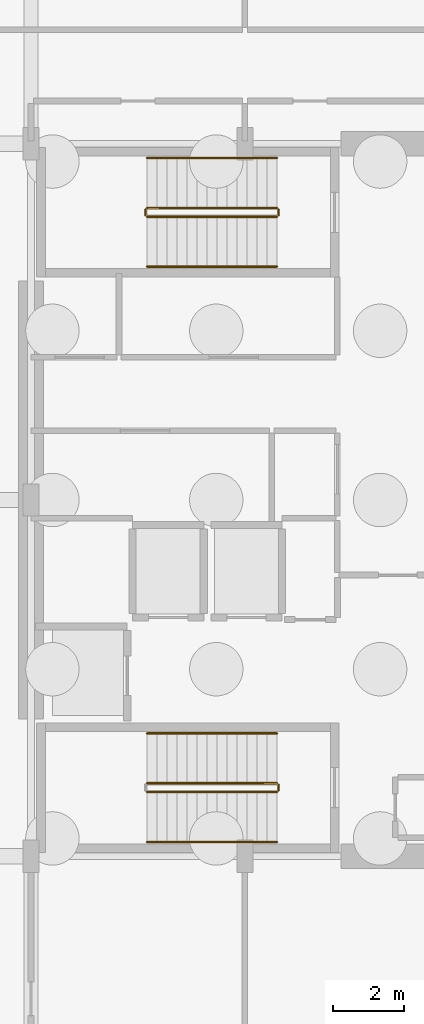
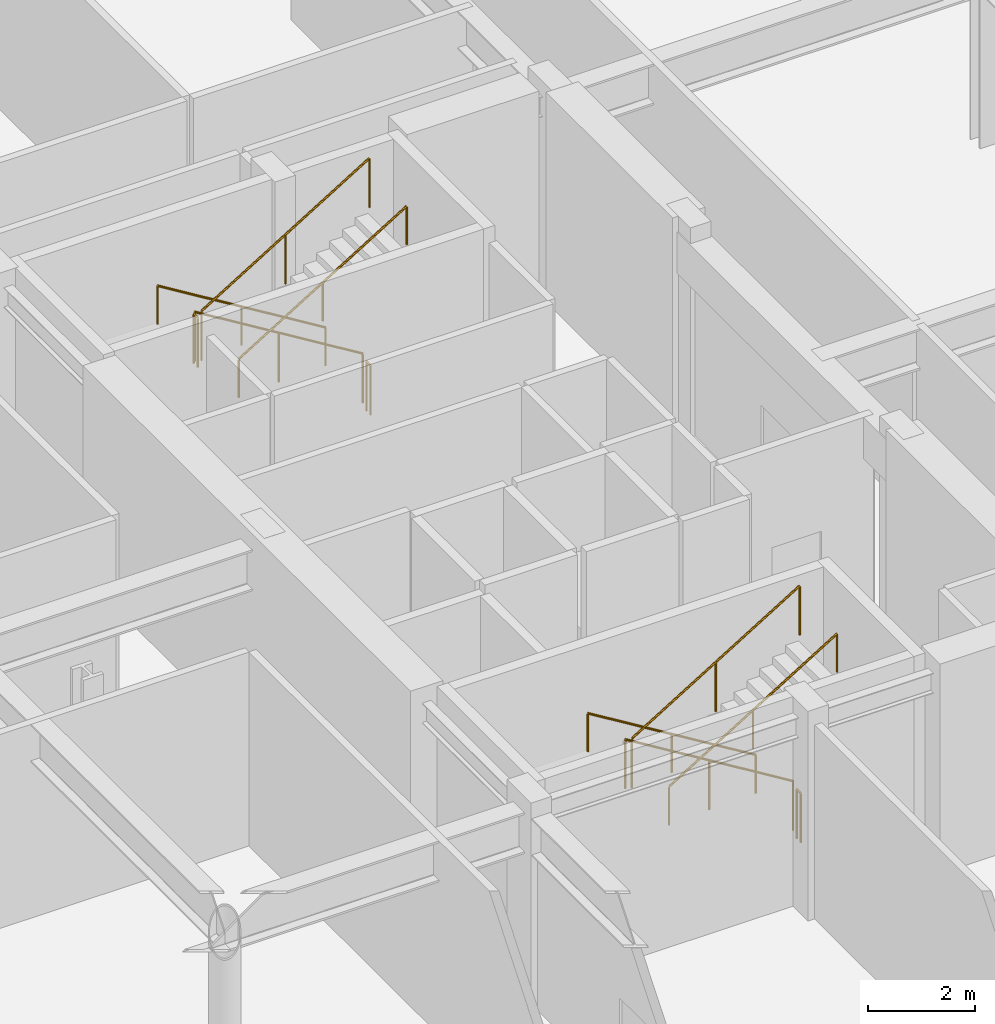
# One storey, part 23 of 25: 11 railings.
"""IFC4 building model written with IfcOpenShell, lengths in metres."""

from ifc_helpers import new_model, si_unit, direction, frame, origin, origin_2d, place, context, subcontext, project, spatial, circle, extrude, material, type_object, element, save


model = new_model("IFC4")

# Units and contexts
model_context = context("Model", 3, precision=1e-05, world=origin(), true_north=direction((0.0, 1.0)))
body_context = subcontext(model_context, "Body", "Model", "MODEL_VIEW")
ifc_project = project(units=[si_unit("LENGTHUNIT", "METRE"), si_unit("AREAUNIT", "SQUARE_METRE"), si_unit("VOLUMEUNIT", "CUBIC_METRE"), si_unit("PLANEANGLEUNIT", "RADIAN"), si_unit("MASSUNIT", "GRAM", prefix="KILO")], contexts=[model_context])

# Site, building, storey
site_placement = place(None, origin())
site = spatial("IfcSite", under=ifc_project, at=site_placement, CompositionType="ELEMENT")
building_placement = place(site_placement, origin())
building = spatial("IfcBuilding", under=site, at=building_placement, Name="Soratama Intermodal Tower", CompositionType="ELEMENT")
storey_placement = place(building_placement, frame((0.0, 0.0, -10.199951171875)))
storey = spatial("IfcBuildingStorey", under=building, at=storey_placement, Name="B2", CompositionType="ELEMENT", Elevation=-10.199951171875)

# Railings
ifc_material_1 = material(Name="Painted steel stair guardrail", Category="steel")
railing_type_1 = type_object("IfcRailingType", Name="RL-STAIR-GUARD", PredefinedType="GUARDRAIL", material=ifc_material_1)
railing_1_placement = place(storey_placement, frame((39.5, 17.050048828125, 0.17138671875)))
element("IfcRailing", 1, at=railing_1_placement, inside=storey, type_object=railing_type_1, Name="B2 ST-1 stair guard 1", PredefinedType="GUARDRAIL", context=body_context, shape_type="SweptSolid", body=[
    extrude(circle(Radius=0.02392578125, at=origin_2d()), frame((0.0, 0.0, 1.1259765625), z_axis=(-0.852850264322, 0.0, 0.5221555579), x_axis=(0.0, -1.0, 0.0)), (0.0, 0.0, 1.0), 4.267822265625),
    extrude(circle(Radius=0.02099609375, at=origin_2d()), origin(), (0.0, 0.0, 1.0), 1.101806640625),
    extrude(circle(Radius=0.02099609375, at=origin_2d()), frame((-1.81982421875, 0.0, 1.1142578125)), (0.0, 0.0, 1.0), 1.101806640625),
    extrude(circle(Radius=0.02099609375, at=origin_2d()), frame((-3.639892578125, 0.0, 2.228515625)), (0.0, 0.0, 1.0), 1.101806640625),
])
railing_2_placement = place(storey_placement, frame((35.860107421875, 16.800048828125, 2.5712890625)))
element("IfcRailing", 2, at=railing_2_placement, inside=storey, type_object=railing_type_1, Name="B2 ST-1 stair guard 3", PredefinedType="GUARDRAIL", context=body_context, shape_type="SweptSolid", body=[
    extrude(circle(Radius=0.02392578125, at=origin_2d()), frame((0.0, 0.0, 1.1259765625), z_axis=(0.852824790078, 0.0, 0.522197163366), x_axis=(0.0, 1.0, 0.0)), (0.0, 0.0, 1.0), 4.26806640625),
    extrude(circle(Radius=0.02099609375, at=origin_2d()), origin(), (0.0, 0.0, 1.0), 1.101806640625),
    extrude(circle(Radius=0.02099609375, at=origin_2d()), frame((1.81982421875, 0.0, 1.1142578125)), (0.0, 0.0, 1.0), 1.101806640625),
    extrude(circle(Radius=0.02099609375, at=origin_2d()), frame((3.639892578125, 0.0, 2.228759765625)), (0.0, 0.0, 1.0), 1.101806640625),
])
railing_3_placement = place(storey_placement, frame((39.550048828125, 17.0, 0.0)))
element("IfcRailing", 3, at=railing_3_placement, inside=storey, type_object=railing_type_1, Name="B2 ST-1 stair guard 4", PredefinedType="GUARDRAIL", context=body_context, shape_type="SweptSolid", body=[
    extrude(circle(Radius=0.02392578125, at=origin_2d()), frame((0.0, 0.0, 1.1259765625), z_axis=(0.0, -1.0, 0.0), x_axis=(1.0, 0.0, 0.0)), (0.0, 0.0, 1.0), 0.14990234375),
    extrude(circle(Radius=0.02099609375, at=origin_2d()), origin(), (0.0, 0.0, 1.0), 1.101806640625),
    extrude(circle(Radius=0.02099609375, at=origin_2d()), frame((0.0, -0.14990234375, 0.0)), (0.0, 0.0, 1.0), 1.101806640625),
])
railing_4_placement = place(storey_placement, frame((39.5, 33.199951171875, 0.17138671875)))
element("IfcRailing", 4, at=railing_4_placement, inside=storey, type_object=railing_type_1, Name="B2 ST-2 stair guard 1", PredefinedType="GUARDRAIL", context=body_context, shape_type="SweptSolid", body=[
    extrude(circle(Radius=0.02392578125, at=origin_2d()), frame((0.0, 0.0, 1.1259765625), z_axis=(-0.852850264322, 0.0, 0.5221555579), x_axis=(0.0, -1.0, 0.0)), (0.0, 0.0, 1.0), 4.267822265625),
    extrude(circle(Radius=0.02099609375, at=origin_2d()), origin(), (0.0, 0.0, 1.0), 1.101806640625),
    extrude(circle(Radius=0.02099609375, at=origin_2d()), frame((-1.81982421875, 0.0, 1.1142578125)), (0.0, 0.0, 1.0), 1.101806640625),
    extrude(circle(Radius=0.02099609375, at=origin_2d()), frame((-3.639892578125, 0.0, 2.228515625)), (0.0, 0.0, 1.0), 1.101806640625),
])
railing_5_placement = place(storey_placement, frame((35.81005859375, 33.14990234375, 2.39990234375)))
element("IfcRailing", 5, at=railing_5_placement, inside=storey, type_object=railing_type_1, Name="B2 ST-2 stair guard 2", PredefinedType="GUARDRAIL", context=body_context, shape_type="SweptSolid", body=[
    extrude(circle(Radius=0.02392578125, at=origin_2d()), frame((0.0, 0.0, 1.1259765625), z_axis=(0.0, -1.0, 0.0), x_axis=(1.0, 0.0, 0.0)), (0.0, 0.0, 1.0), 0.14990234375),
    extrude(circle(Radius=0.02099609375, at=origin_2d()), origin(), (0.0, 0.0, 1.0), 1.101806640625),
    extrude(circle(Radius=0.02099609375, at=origin_2d()), frame((0.0, -0.14990234375, 0.0)), (0.0, 0.0, 1.0), 1.101806640625),
])
railing_6_placement = place(storey_placement, frame((35.860107421875, 32.949951171875, 2.5712890625)))
element("IfcRailing", 6, at=railing_6_placement, inside=storey, type_object=railing_type_1, Name="B2 ST-2 stair guard 3", PredefinedType="GUARDRAIL", context=body_context, shape_type="SweptSolid", body=[
    extrude(circle(Radius=0.02392578125, at=origin_2d()), frame((0.0, 0.0, 1.1259765625), z_axis=(0.852824790078, 0.0, 0.522197163366), x_axis=(0.0, 1.0, 0.0)), (0.0, 0.0, 1.0), 4.26806640625),
    extrude(circle(Radius=0.02099609375, at=origin_2d()), origin(), (0.0, 0.0, 1.0), 1.101806640625),
    extrude(circle(Radius=0.02099609375, at=origin_2d()), frame((1.81982421875, 0.0, 1.1142578125)), (0.0, 0.0, 1.0), 1.101806640625),
    extrude(circle(Radius=0.02099609375, at=origin_2d()), frame((3.639892578125, 0.0, 2.228759765625)), (0.0, 0.0, 1.0), 1.101806640625),
])
railing_7_placement = place(storey_placement, frame((39.550048828125, 33.14990234375, 0.0)))
element("IfcRailing", 7, at=railing_7_placement, inside=storey, type_object=railing_type_1, Name="B2 ST-2 stair guard 4", PredefinedType="GUARDRAIL", context=body_context, shape_type="SweptSolid", body=[
    extrude(circle(Radius=0.02392578125, at=origin_2d()), frame((0.0, 0.0, 1.1259765625), z_axis=(0.0, -1.0, 0.0), x_axis=(1.0, 0.0, 0.0)), (0.0, 0.0, 1.0), 0.14990234375),
    extrude(circle(Radius=0.02099609375, at=origin_2d()), origin(), (0.0, 0.0, 1.0), 1.101806640625),
    extrude(circle(Radius=0.02099609375, at=origin_2d()), frame((0.0, -0.14990234375, 0.0)), (0.0, 0.0, 1.0), 1.101806640625),
])
ifc_material_2 = material(Name="Brushed stainless steel handrail", Category="steel")
railing_type_2 = type_object("IfcRailingType", Name="RL-STAIR-HAND", PredefinedType="HANDRAIL", material=ifc_material_2)
railing_8_placement = place(storey_placement, frame((39.5, 18.449951171875, 0.17138671875)))
element("IfcRailing", 8, at=railing_8_placement, inside=storey, type_object=railing_type_2, Name="B2 ST-1 stair handrail 1", PredefinedType="HANDRAIL", context=body_context, shape_type="SweptSolid", body=[
    extrude(circle(Radius=0.02392578125, at=origin_2d()), frame((0.0, 0.0, 0.8759765625), z_axis=(-0.852850264322, 0.0, 0.5221555579), x_axis=(0.0, -1.0, 0.0)), (0.0, 0.0, 1.0), 4.267822265625),
    extrude(circle(Radius=0.02099609375, at=origin_2d()), origin(), (0.0, 0.0, 1.0), 0.851806640625),
    extrude(circle(Radius=0.02099609375, at=origin_2d()), frame((-1.81982421875, 0.0, 1.1142578125)), (0.0, 0.0, 1.0), 0.851806640625),
    extrude(circle(Radius=0.02099609375, at=origin_2d()), frame((-3.639892578125, 0.0, 2.228515625)), (0.0, 0.0, 1.0), 0.851806640625),
])
railing_9_placement = place(storey_placement, frame((35.860107421875, 15.39990234375, 2.5712890625)))
element("IfcRailing", 9, at=railing_9_placement, inside=storey, type_object=railing_type_2, Name="B2 ST-1 stair handrail 2", PredefinedType="HANDRAIL", context=body_context, shape_type="SweptSolid", body=[
    extrude(circle(Radius=0.02392578125, at=origin_2d()), frame((0.0, 0.0, 0.8759765625), z_axis=(0.852824790078, 0.0, 0.522197163366), x_axis=(0.0, 1.0, 0.0)), (0.0, 0.0, 1.0), 4.26806640625),
    extrude(circle(Radius=0.02099609375, at=origin_2d()), origin(), (0.0, 0.0, 1.0), 0.851806640625),
    extrude(circle(Radius=0.02099609375, at=origin_2d()), frame((1.81982421875, 0.0, 1.1142578125)), (0.0, 0.0, 1.0), 0.851806640625),
    extrude(circle(Radius=0.02099609375, at=origin_2d()), frame((3.639892578125, 0.0, 2.228759765625)), (0.0, 0.0, 1.0), 0.851806640625),
])
railing_10_placement = place(storey_placement, frame((39.5, 34.60009765625, 0.17138671875)))
element("IfcRailing", 10, at=railing_10_placement, inside=storey, type_object=railing_type_2, Name="B2 ST-2 stair handrail 1", PredefinedType="HANDRAIL", context=body_context, shape_type="SweptSolid", body=[
    extrude(circle(Radius=0.02392578125, at=origin_2d()), frame((0.0, 0.0, 0.8759765625), z_axis=(-0.852850264322, 0.0, 0.5221555579), x_axis=(0.0, -1.0, 0.0)), (0.0, 0.0, 1.0), 4.267822265625),
    extrude(circle(Radius=0.02099609375, at=origin_2d()), origin(), (0.0, 0.0, 1.0), 0.851806640625),
    extrude(circle(Radius=0.02099609375, at=origin_2d()), frame((-1.81982421875, 0.0, 1.1142578125)), (0.0, 0.0, 1.0), 0.851806640625),
    extrude(circle(Radius=0.02099609375, at=origin_2d()), frame((-3.639892578125, 0.0, 2.228515625)), (0.0, 0.0, 1.0), 0.851806640625),
])
railing_11_placement = place(storey_placement, frame((35.860107421875, 31.550048828125, 2.5712890625)))
element("IfcRailing", 11, at=railing_11_placement, inside=storey, type_object=railing_type_2, Name="B2 ST-2 stair handrail 2", PredefinedType="HANDRAIL", context=body_context, shape_type="SweptSolid", body=[
    extrude(circle(Radius=0.02392578125, at=origin_2d()), frame((0.0, 0.0, 0.8759765625), z_axis=(0.852824790078, 0.0, 0.522197163366), x_axis=(0.0, 1.0, 0.0)), (0.0, 0.0, 1.0), 4.26806640625),
    extrude(circle(Radius=0.02099609375, at=origin_2d()), origin(), (0.0, 0.0, 1.0), 0.851806640625),
    extrude(circle(Radius=0.02099609375, at=origin_2d()), frame((1.81982421875, 0.0, 1.1142578125)), (0.0, 0.0, 1.0), 0.851806640625),
    extrude(circle(Radius=0.02099609375, at=origin_2d()), frame((3.639892578125, 0.0, 2.228759765625)), (0.0, 0.0, 1.0), 0.851806640625),
])

save(model, "model.ifc")
